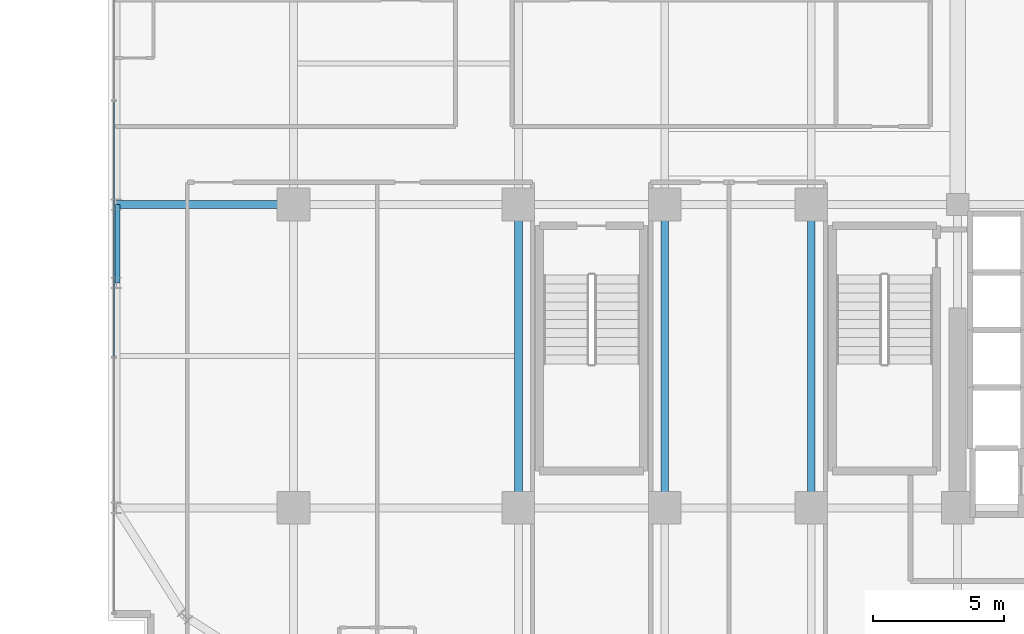
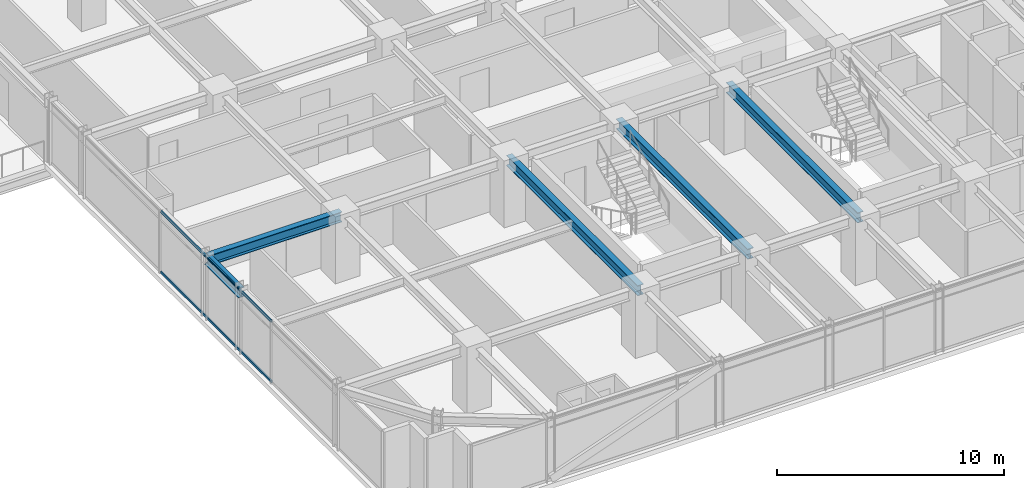
# One storey, part 7 of 35: 5 beams, 2 members, 1 element without a shape of its own.
"""IFC4 building model written with IfcOpenShell, lengths in metres."""

from ifc_helpers import new_model, si_unit, direction, frame, origin, origin_2d, place, context, subcontext, project, spatial, hollow_rectangle, i_section, extrude, source, transform, mapped, material, material_profile, profile_set, type_object, element, aggregate, save


model = new_model("IFC4")

# Units and contexts
model_context = context("Model", 3, precision=1e-05, world=origin(), true_north=direction((0.0, 1.0)))
body_context = subcontext(model_context, "Body", "Model", "MODEL_VIEW")
ifc_project = project(units=[si_unit("LENGTHUNIT", "METRE"), si_unit("AREAUNIT", "SQUARE_METRE"), si_unit("VOLUMEUNIT", "CUBIC_METRE"), si_unit("PLANEANGLEUNIT", "RADIAN"), si_unit("MASSUNIT", "GRAM", prefix="KILO")], contexts=[model_context])

# Site, building, storey
site_placement = place(None, origin())
site = spatial("IfcSite", under=ifc_project, at=site_placement, CompositionType="ELEMENT")
building_placement = place(site_placement, origin())
building = spatial("IfcBuilding", under=site, at=building_placement, Name="Nahalor Promenade Grand Hotel", CompositionType="ELEMENT")
storey_placement = place(building_placement, frame((0.0, 0.0, 106.550048828125)))
storey = spatial("IfcBuildingStorey", under=building, at=storey_placement, Name="L26", CompositionType="ELEMENT", Elevation=106.550048828125)

# Beams
ifc_material_1 = material(Name="Steel S355JR", Category="steel")
ifc_material_profile_1 = material_profile(ifc_material_1, i_section(OverallWidth=0.3, OverallDepth=0.5, WebThickness=0.0145, FlangeThickness=0.028, at=origin_2d()), Name="HEB 500")
ifc_profile_set_1 = profile_set([ifc_material_profile_1], Name="Steel S355JR")
beam_type_1 = type_object("IfcBeamType", Name="Beam-Spandrel-HEB500", PredefinedType="SPANDREL", material=ifc_profile_set_1)
shared_shape_1 = source(origin(), body_context, "Body", "SweptSolid", [
    extrude(i_section(OverallWidth=0.3, OverallDepth=0.5, WebThickness=0.0145, FlangeThickness=0.028, at=origin_2d()), origin(), (0.0, 0.0, 1.0), 3.0),
])
beam_1_placement = place(storey_placement, frame((-23.780029296875, -8.39990234375, 3.1298828125), z_axis=(0.0, 1.0, 0.0), x_axis=(-1.0, 0.0, 0.0)))
element("IfcBeam", 1, at=beam_1_placement, inside=storey, type_object=beam_type_1, Name="BM-L26-SP-W-1", PredefinedType="SPANDREL", context=body_context, shape_type="MappedRepresentation", body=[
    mapped(shared_shape_1, transform((0.0, 0.0, 0.0), scale=1.0)),
])
ifc_material_profile_2 = material_profile(ifc_material_1, i_section(OverallWidth=0.3, OverallDepth=0.55, WebThickness=0.015, FlangeThickness=0.029, at=origin_2d()), Name="HEB 550")
ifc_profile_set_2 = profile_set([ifc_material_profile_2], Name="Steel S355JR")
beam_type_2 = type_object("IfcBeamType", Name="Beam-Girder-HEB550", PredefinedType="BEAM", material=ifc_profile_set_2)
shared_shape_2 = source(origin(), body_context, "Body", "SweptSolid", [
    extrude(i_section(OverallWidth=0.3, OverallDepth=0.55, WebThickness=0.015, FlangeThickness=0.029, at=origin_2d()), origin(), (0.0, 0.0, 1.0), 6.780029296875),
])
beam_2_placement = place(storey_placement, frame((-23.780029296875, -5.39990234375, 3.10498046875), z_axis=(1.0, 0.0, 0.0), x_axis=(0.0, 1.0, 0.0)))
element("IfcBeam", 2, at=beam_2_placement, inside=storey, type_object=beam_type_2, Name="BM-L26-GX-1-0", PredefinedType="BEAM", context=body_context, shape_type="MappedRepresentation", body=[
    mapped(shared_shape_2, transform((0.0, 0.0, 0.0), scale=1.0)),
])
shared_shape_3 = source(origin(), body_context, "Body", "SweptSolid", [
    extrude(i_section(OverallWidth=0.3, OverallDepth=0.55, WebThickness=0.015, FlangeThickness=0.029, at=origin_2d()), origin(), (0.0, 0.0, 1.0), 11.60009765625),
])
for number, where, z_axis, x_axis, name in (
    (3, (-8.39990234375, -17.0, 3.10498046875), (0.0, 1.0, 0.0), (-1.0, 0.0, 0.0), "BM-L26-GY-1-1"),
    (4, (-2.800048828125, -17.0, 3.10498046875), (0.0, 1.0, 0.0), (-1.0, 0.0, 0.0), "BM-L26-GY-2-1"),
    (5, (2.800048828125, -17.0, 3.10498046875), (0.0, 1.0, 0.0), (-1.0, 0.0, 0.0), "BM-L26-GY-3-1"),
):
    element("IfcBeam", number, at=place(storey_placement, frame(where, z_axis=z_axis, x_axis=x_axis)), inside=storey, type_object=beam_type_2, Name=name, PredefinedType="BEAM", context=body_context, shape_type="MappedRepresentation", body=[
        mapped(shared_shape_3, transform((0.0, 0.0, 0.0), scale=1.0)),
    ])

# Curtain wall, members
ifc_material_2 = material(Name="Anodised Bronze Aluminium EN AW-6063 T6", Category="aluminium")
curtain_wall_type = type_object("IfcCurtainWallType", Name="CW2 Typical Hotel Flush Bronze Unitised Curtain Wall", PredefinedType="USERDEFINED", material=ifc_material_2)
curtain_wall_placement = place(storey_placement, origin())
curtain_wall = element("IfcCurtainWall", 6, at=curtain_wall_placement, inside=storey, type_object=curtain_wall_type, Name="L26 Curtain Wall CW-L26-W-1", ObjectType="UNITISED_CURTAIN_WALL", PredefinedType="USERDEFINED")
ifc_material_profile_3 = material_profile(ifc_material_2, hollow_rectangle(XDim=0.065, YDim=0.13, WallThickness=0.004, at=origin_2d()), Name="CWT 65x130x4")
ifc_profile_set_3 = profile_set([ifc_material_profile_3], Name="Anodised Bronze Aluminium EN AW-6063 T6")
member_type = type_object("IfcMemberType", Name="CWT2 Typical Bronze Transom 65x130", PredefinedType="USERDEFINED", material=ifc_profile_set_3)
shared_shape_4 = source(origin(), body_context, "Body", "SweptSolid", [
    extrude(hollow_rectangle(XDim=0.065, YDim=0.13, WallThickness=0.004, at=origin_2d()), origin(), (0.0, 0.0, 1.0), 9.755126953125),
])
member_1_placement = place(storey_placement, frame((-23.860107421875, -11.20751953125, 0.06494140625), z_axis=(0.0, 1.0, 0.0), x_axis=(-1.0, 0.0, 0.0)))
member_1 = element("IfcMember", 7, at=member_1_placement, type_object=member_type, Name="CW-L26-W-1 Transom 1-0", ObjectType="TRANSOM", PredefinedType="USERDEFINED", context=body_context, shape_type="MappedRepresentation", body=[
    mapped(shared_shape_4, transform((0.0, 0.0, 0.0), scale=1.0)),
])
member_2_placement = place(storey_placement, frame((-23.860107421875, -11.20751953125, 3.31494140625), z_axis=(0.0, 1.0, 0.0), x_axis=(-1.0, 0.0, 0.0)))
member_2 = element("IfcMember", 8, at=member_2_placement, type_object=member_type, Name="CW-L26-W-1 Transom 1-1", ObjectType="TRANSOM", PredefinedType="USERDEFINED", context=body_context, shape_type="MappedRepresentation", body=[
    mapped(shared_shape_4, transform((0.0, 0.0, 0.0), scale=1.0)),
])
aggregate(curtain_wall, [member_1, member_2])

save(model, "model.ifc")
